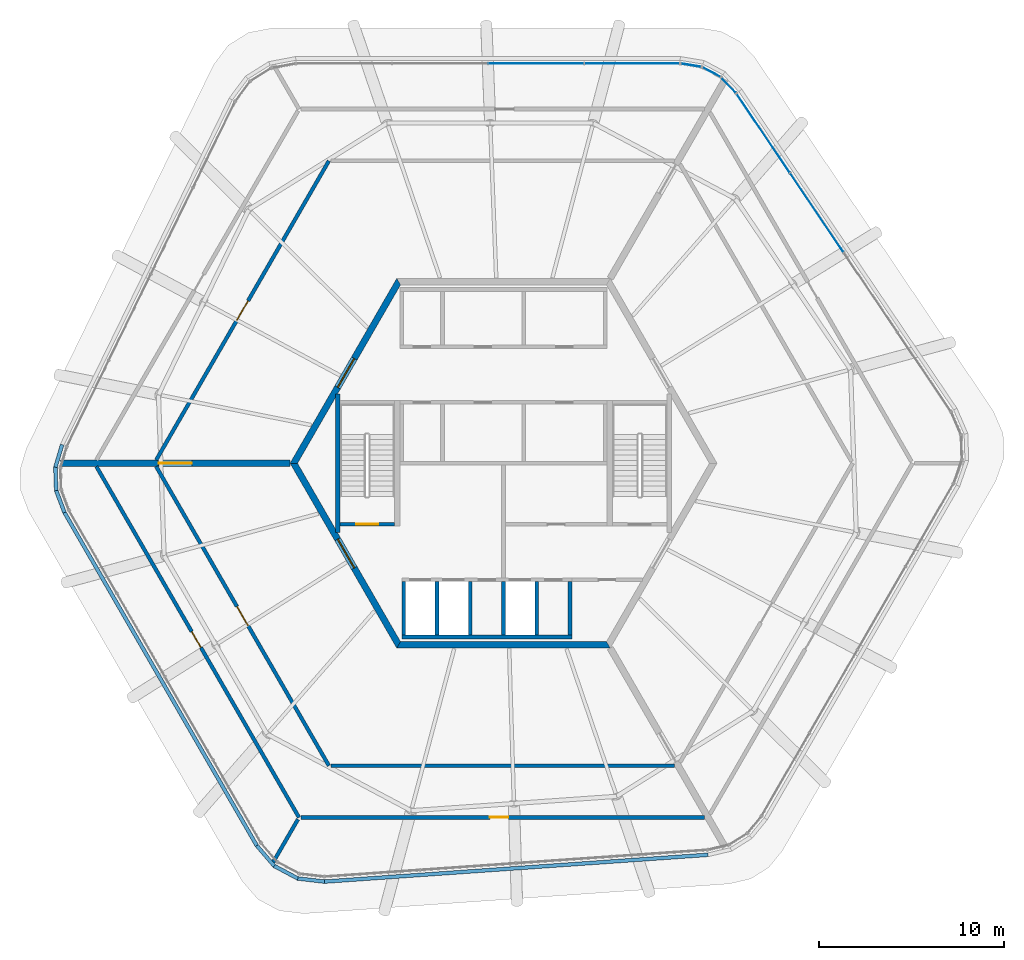
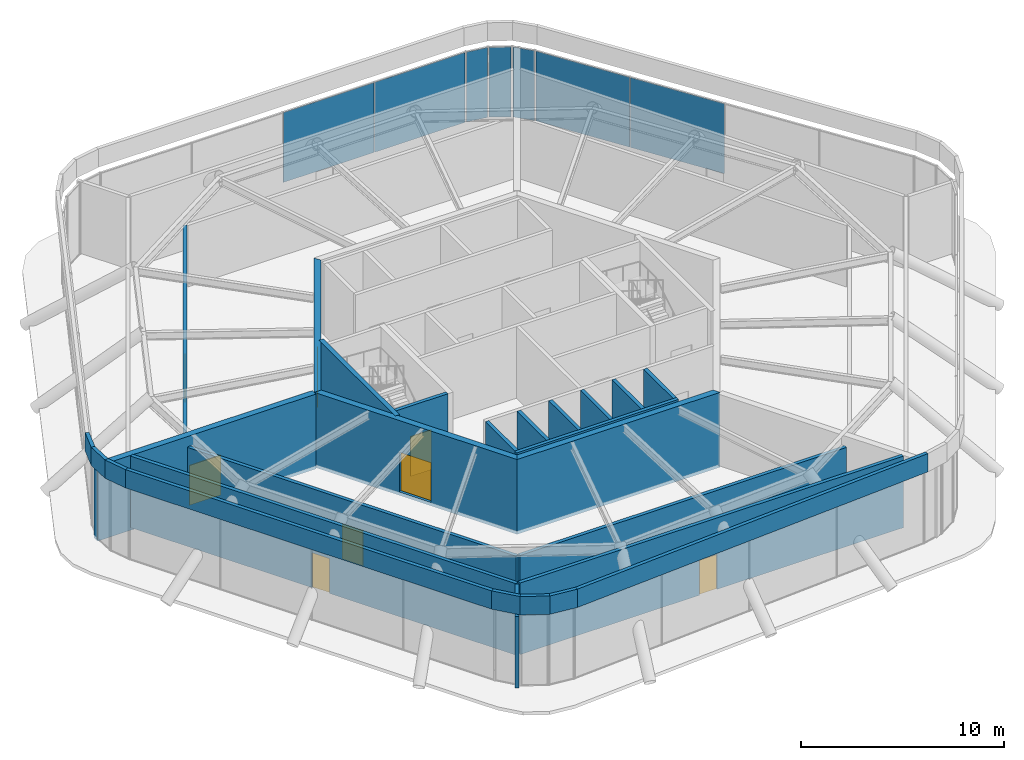
# One storey, part 10 of 13: 27 walls, 8 doors, 7 plates, 8 openings, 5 elements without a shape of their own.
"""IFC4 building model written with IfcOpenShell, lengths in metres."""

import ifcopenshell
import ifcopenshell.guid

model = None  # the IFC model being written
_history = None  # IfcOwnerHistory: only IFC2X3 demands one
_inside = {}  # id of a spatial element -> (the spatial element, [elements in it])
_under = {}  # id of a project, library or spatial element -> (it, [spatial elements below it])
_declared = {}  # id of a project -> (the project, [libraries it declares])
_typed = {}  # id of a type object -> (the type object, [elements of that type])
_made_of = {}  # id of a material, layer set ... -> (it, [elements and type objects made of it])


def new_model(schema):
    """Start an empty IFC model of exactly this schema.

    Asked for "IFC4X3", IfcOpenShell would pick the latest addendum, in which some entities
    have other attributes; the version numbers below select the first issue.
    IFC2X3 requires an IfcOwnerHistory on every rooted entity: one is made here for all.
    """
    global model, _history
    if schema == "IFC4X3":
        model = ifcopenshell.file(schema_version=(4, 3, 0, 0))
    else:
        model = ifcopenshell.file(schema=schema)
    _inside.clear()
    _under.clear()
    _declared.clear()
    _typed.clear()
    _made_of.clear()
    _history = None
    if model.schema == "IFC2X3":
        org = make("IfcOrganization", Name="unknown")
        user = make(
            "IfcPersonAndOrganization",
            ThePerson=make("IfcPerson", FamilyName="unknown"),
            TheOrganization=org,
        )
        app = make(
            "IfcApplication",
            ApplicationDeveloper=org,
            Version="unknown",
            ApplicationFullName="unknown",
            ApplicationIdentifier="unknown",
        )
        _history = make(
            "IfcOwnerHistory",
            OwningUser=user,
            OwningApplication=app,
            ChangeAction="ADDED",
            CreationDate=0,
        )
    return model


def make(cls, **values):
    """One entity of the class cls with the attributes given. An attribute that is None is left unset."""
    return model.create_entity(
        cls, **{name: value for name, value in values.items() if value is not None}
    )


def rooted(cls, **values):
    """An entity with a GlobalId (a new one), such as an element, a storey or a relation."""
    return make(cls, GlobalId=ifcopenshell.guid.new(), OwnerHistory=_history, **values)


def si_unit(unit_type, name, prefix=None):
    """IfcSIUnit, for example si_unit("LENGTHUNIT", "METRE", prefix="MILLI")."""
    return make("IfcSIUnit", UnitType=unit_type, Prefix=prefix, Name=name)


def assignment(units):
    """IfcUnitAssignment: the units of a project."""
    return None if units is None else make("IfcUnitAssignment", Units=units)


def point(xyz):
    """IfcCartesianPoint."""
    return None if xyz is None else make("IfcCartesianPoint", Coordinates=xyz)


def direction(xyz):
    """IfcDirection."""
    return None if xyz is None else make("IfcDirection", DirectionRatios=xyz)


def frame(location, z_axis=None, x_axis=None):
    """IfcAxis2Placement3D, a coordinate frame: its origin and axes. An axis left out is left unset."""
    return make(
        "IfcAxis2Placement3D",
        Location=point(location),
        Axis=direction(z_axis),
        RefDirection=direction(x_axis),
    )


def frame_2d(location, x_axis=None):
    """IfcAxis2Placement2D, a coordinate frame in the plane: its origin and x axis."""
    return make(
        "IfcAxis2Placement2D", Location=point(location), RefDirection=direction(x_axis)
    )


def origin():
    """The frame at (0, 0, 0) with its axes left unset."""
    return frame((0.0, 0.0, 0.0))


def origin_2d():
    """The frame at (0, 0) in the plane with its x axis left unset."""
    return frame_2d((0.0, 0.0))


def place(relative_to, where):
    """IfcLocalPlacement: puts the frame where relative to a parent placement (None: the world)."""
    return make(
        "IfcLocalPlacement", PlacementRelTo=relative_to, RelativePlacement=where
    )


def context(
    kind, dimensions, precision=None, world=None, true_north=None, identifier=None
):
    """IfcGeometricRepresentationContext, for example the 3D "Model" context."""
    return make(
        "IfcGeometricRepresentationContext",
        ContextIdentifier=identifier,
        ContextType=kind,
        CoordinateSpaceDimension=dimensions,
        Precision=precision,
        WorldCoordinateSystem=world,
        TrueNorth=true_north,
    )


def subcontext(parent, identifier, kind, view, scale=None):
    """IfcGeometricRepresentationSubContext, for example "Body" below "Model"."""
    return make(
        "IfcGeometricRepresentationSubContext",
        ContextIdentifier=identifier,
        ContextType=kind,
        ParentContext=parent,
        TargetScale=scale,
        TargetView=view,
    )


def project(units=None, contexts=None):
    """IfcProject with its units and contexts."""
    return rooted(
        "IfcProject",
        Name="project",
        RepresentationContexts=contexts,
        UnitsInContext=assignment(units),
    )


def spatial(cls, under=None, at=None, **own):
    """A site, building, storey or space (cls), placed at a placement, below another one or the project."""
    s = rooted(cls, ObjectPlacement=at, **own)
    if under is not None:
        _under.setdefault(under.id(), (under, []))[1].append(s)
    return s


def polyline(points):
    """IfcPolyline through the points."""
    return make("IfcPolyline", Points=[point(p) for p in points])


def profile(cls, at=None, kind="AREA", **sizes):
    """A parametric profile (cls). Its sizes go by their IFC names, for example OverallWidth=200.0."""
    return make(cls, ProfileType=kind, Position=at, **sizes)


def rectangle(**sizes):
    """IfcRectangleProfileDef."""
    return profile("IfcRectangleProfileDef", **sizes)


def outline(outer, holes=None, kind="AREA"):
    """IfcArbitraryClosedProfileDef: a profile drawn as a closed curve; with holes, ...WithVoids."""
    if holes is None:
        return make("IfcArbitraryClosedProfileDef", ProfileType=kind, OuterCurve=outer)
    return make(
        "IfcArbitraryProfileDefWithVoids",
        ProfileType=kind,
        OuterCurve=outer,
        InnerCurves=holes,
    )


def extrude(swept, where, along, depth):
    """IfcExtrudedAreaSolid: the profile swept, set in the frame where, extruded along a direction by depth."""
    return make(
        "IfcExtrudedAreaSolid",
        SweptArea=swept,
        Position=where,
        ExtrudedDirection=direction(along),
        Depth=depth,
    )


def shape(context_of_items, identifier, shape_type, items):
    """IfcShapeRepresentation: the items that make up one representation, for example the "Body"."""
    return make(
        "IfcShapeRepresentation",
        ContextOfItems=context_of_items,
        RepresentationIdentifier=identifier,
        RepresentationType=shape_type,
        Items=items,
    )


def material(Name=None, Category=None):
    """IfcMaterial."""
    return make("IfcMaterial", Name=Name, Category=Category)


def layer(
    of_material, thickness, ventilated=None, Name=None, Category=None, Priority=None
):
    """IfcMaterialLayer: one layer of a wall or slab, of a material (None: an air gap)."""
    return make(
        "IfcMaterialLayer",
        Material=of_material,
        LayerThickness=thickness,
        IsVentilated=ventilated,
        Name=Name,
        Category=Category,
        Priority=Priority,
    )


def layer_set(layers, Name=None):
    """IfcMaterialLayerSet."""
    return make("IfcMaterialLayerSet", MaterialLayers=layers, LayerSetName=Name)


def made_of(thing, what):
    """Note that an element or type object is made of a material, layer set ...; save() writes the relation."""
    if what is not None:
        _made_of.setdefault(what.id(), (what, []))[1].append(thing)
    return thing


def type_object(cls, material=None, **own):
    """A type object (cls), such as IfcWallType, which elements share."""
    return made_of(rooted(cls, **own), material)


def element(
    cls,
    number,
    at=None,
    inside=None,
    cuts=None,
    type_object=None,
    material=None,
    context=None,
    identifier="Body",
    shape_type=None,
    held_by="IfcProductDefinitionShape",
    body=None,
    shapes=None,
    **own,
):
    """One element of the class cls, such as IfcWall. Its Tag is "e" and its number.

    at: its placement. inside: the storey or other place that contains it. cuts: it is an
    opening in that element (IfcRelVoidsElement). A single representation is given by context,
    identifier, shape_type and body (its items); several are given by shapes. held_by: the class
    of the entity that holds the representations. save() writes the other relations.
    """
    e = rooted(cls, Tag="e%d" % number, ObjectPlacement=at, **own)
    if body is not None:
        shapes = [shape(context, identifier, shape_type, body)]
    if shapes is not None:
        e.Representation = make(held_by, Representations=shapes)
    if inside is not None:
        _inside.setdefault(inside.id(), (inside, []))[1].append(e)
    if cuts is not None:
        rooted(
            "IfcRelVoidsElement", RelatingBuildingElement=cuts, RelatedOpeningElement=e
        )
    if type_object is not None:
        _typed.setdefault(type_object.id(), (type_object, []))[1].append(e)
    return made_of(e, material)


def fill(opening, filler):
    """IfcRelFillsElement: the door or window that sits in an opening."""
    return rooted(
        "IfcRelFillsElement",
        RelatingOpeningElement=opening,
        RelatedBuildingElement=filler,
    )


def aggregate(whole, parts):
    """IfcRelAggregates: a whole, such as a stair, and the parts it consists of."""
    return rooted("IfcRelAggregates", RelatingObject=whole, RelatedObjects=parts)


def save(model, path):
    """Write the relations noted so far, then the file.

    IfcRelAggregates (storeys below a building ...), IfcRelContainedInSpatialStructure (elements
    in a storey), IfcRelDefinesByType, IfcRelAssociatesMaterial and IfcRelDeclares: one each for
    every whole, place, type object, material and project.
    """
    for whole, parts in _under.values():
        aggregate(whole, parts)
    for where, things in _inside.values():
        rooted(
            "IfcRelContainedInSpatialStructure",
            RelatedElements=things,
            RelatingStructure=where,
        )
    for kind, things in _typed.values():
        rooted("IfcRelDefinesByType", RelatedObjects=things, RelatingType=kind)
    for what, things in _made_of.values():
        rooted("IfcRelAssociatesMaterial", RelatedObjects=things, RelatingMaterial=what)
    for by, libraries in _declared.values():
        rooted("IfcRelDeclares", RelatingContext=by, RelatedDefinitions=libraries)
    model.write(path)


model = new_model("IFC4")

# Units and contexts
model_context = context("Model", 3, precision=1e-05, world=origin(), true_north=direction((0.0, 1.0)))
body_context = subcontext(model_context, "Body", "Model", "MODEL_VIEW")
ifc_project = project(units=[si_unit("LENGTHUNIT", "METRE"), si_unit("AREAUNIT", "SQUARE_METRE"), si_unit("VOLUMEUNIT", "CUBIC_METRE"), si_unit("PLANEANGLEUNIT", "RADIAN"), si_unit("MASSUNIT", "GRAM", prefix="KILO")], contexts=[model_context])

# Site, building, storey
site_placement = place(None, origin())
site = spatial("IfcSite", under=ifc_project, at=site_placement, CompositionType="ELEMENT")
building_placement = place(site_placement, origin())
building = spatial("IfcBuilding", under=site, at=building_placement, Name="Tarnside Tower", CompositionType="ELEMENT")
storey_placement = place(building_placement, frame((0.0, 0.0, 388.199951171875)))
storey = spatial("IfcBuildingStorey", under=building, at=storey_placement, Name="L92", CompositionType="ELEMENT", Elevation=388.199951171875)

# Curtain wall, plate
ifc_material_1 = material(Name="Crown glazing wall", Category="glass")
curtain_wall_type = type_object("IfcCurtainWallType", Name="Crown glazing wall", PredefinedType="NOTDEFINED", material=ifc_material_1)
curtain_wall_1_placement = place(storey_placement, origin())
curtain_wall_1 = element("IfcCurtainWall", 1, at=curtain_wall_1_placement, inside=storey, type_object=curtain_wall_type, Name="Crown glazing L92 00", PredefinedType="NOTDEFINED")
ifc_material_2 = material(Name="Low-iron safety glass", Category="glass")
ifc_layer_1 = layer(ifc_material_2, 0.028076171875)
ifc_layer_set_1 = layer_set([ifc_layer_1], Name="Crown glazing panel 28")
plate_type_1 = type_object("IfcPlateType", Name="Crown glazing panel 28", PredefinedType="CURTAIN_PANEL", material=ifc_layer_set_1)
plate_1_placement = place(storey_placement, frame((6.94287109375, 21.6298828125, 0.05029296875), z_axis=(0.0, 0.0, 1.0), x_axis=(1.0, 0.0, 0.0)))
plate_1 = element("IfcPlate", 2, at=plate_1_placement, type_object=plate_type_1, Name="CW6 panel 4.1", PredefinedType="CURTAIN_PANEL", context=body_context, shape_type="SweptSolid", body=[
    extrude(rectangle(XDim=5.119873046875, YDim=0.028076171875, at=origin_2d()), origin(), (0.0, 0.0, 1.0), 4.199951171875),
])

curtain_wall_2_placement = place(storey_placement, origin())
curtain_wall_2 = element("IfcCurtainWall", 3, at=curtain_wall_2_placement, inside=storey, type_object=curtain_wall_type, Name="Crown glazing L92 01", PredefinedType="NOTDEFINED")
plate_2_placement = place(storey_placement, frame((10.142333984375, 21.533203125, 0.05029296875), z_axis=(0.0, 0.0, 1.0), x_axis=(0.986761532077, -0.162177923324, 0.0)))
plate_2 = element("IfcPlate", 4, at=plate_2_placement, type_object=plate_type_1, Name="CW6 panel 1.1", PredefinedType="CURTAIN_PANEL", context=body_context, shape_type="SweptSolid", body=[
    extrude(rectangle(XDim=1.0947265625, YDim=0.028076171875, at=origin_2d()), origin(), (0.0, 0.0, 1.0), 4.199951171875),
])
aggregate(curtain_wall_2, [plate_2])

curtain_wall_3_placement = place(storey_placement, origin())
curtain_wall_3 = element("IfcCurtainWall", 5, at=curtain_wall_3_placement, inside=storey, type_object=curtain_wall_type, Name="Crown glazing L92 02", PredefinedType="NOTDEFINED")
plate_3_placement = place(storey_placement, frame((11.2509765625, 21.16015625, 0.05029296875), z_axis=(0.0, 0.0, 1.0), x_axis=(0.882947592916, -0.469471562678, 0.0)))
plate_3 = element("IfcPlate", 6, at=plate_3_placement, type_object=plate_type_1, Name="CW6 panel 1.1", PredefinedType="CURTAIN_PANEL", context=body_context, shape_type="SweptSolid", body=[
    extrude(rectangle(XDim=1.076416015625, YDim=0.028076171875, at=origin_2d()), origin(), (0.0, 0.0, 1.0), 4.199951171875),
])
aggregate(curtain_wall_3, [plate_3])

curtain_wall_4_placement = place(storey_placement, origin())
curtain_wall_4 = element("IfcCurtainWall", 7, at=curtain_wall_4_placement, inside=storey, type_object=curtain_wall_type, Name="Crown glazing L92 03", PredefinedType="NOTDEFINED")
plate_4_placement = place(storey_placement, frame((12.180419921875, 20.449462890625, 0.05029296875), z_axis=(0.0, 0.0, 1.0), x_axis=(0.686241638042, -0.727373641409, 0.0)))
plate_4 = element("IfcPlate", 8, at=plate_4_placement, type_object=plate_type_1, Name="CW6 panel 1.1", PredefinedType="CURTAIN_PANEL", context=body_context, shape_type="SweptSolid", body=[
    extrude(rectangle(XDim=1.0947265625, YDim=0.028076171875, at=origin_2d()), origin(), (0.0, 0.0, 1.0), 4.199951171875),
])
aggregate(curtain_wall_4, [plate_4])

curtain_wall_5_placement = place(storey_placement, origin())
curtain_wall_5 = element("IfcCurtainWall", 9, at=curtain_wall_5_placement, inside=storey, type_object=curtain_wall_type, Name="Crown glazing L92 04", PredefinedType="NOTDEFINED")
plate_5_placement = place(storey_placement, frame((14.0498046875, 17.851318359375, 0.05029296875), z_axis=(0.0, 0.0, 1.0), x_axis=(0.559192903471, -0.829037572555, 0.0)))
plate_5 = element("IfcPlate", 10, at=plate_5_placement, type_object=plate_type_1, Name="CW6 panel 1.1", PredefinedType="CURTAIN_PANEL", context=body_context, shape_type="SweptSolid", body=[
    extrude(rectangle(XDim=5.119873046875, YDim=0.028076171875, at=origin_2d()), origin(), (0.0, 0.0, 1.0), 4.199951171875),
])

# Plate
ifc_material_3 = material(Name="Insulated aluminium panel", Category="aluminium")
ifc_layer_2 = layer(ifc_material_3, 0.028076171875)
ifc_layer_set_2 = layer_set([ifc_layer_2], Name="Crown glazing spandrel panel 28")
plate_type_2 = type_object("IfcPlateType", Name="Crown glazing spandrel panel 28", PredefinedType="CURTAIN_PANEL", material=ifc_layer_set_2)
plate_6_placement = place(storey_placement, frame((1.76025390625, 21.6298828125, 0.05029296875), z_axis=(0.0, 0.0, 1.0), x_axis=(1.0, 0.0, 0.0)))
plate_6 = element("IfcPlate", 11, at=plate_6_placement, type_object=plate_type_2, Name="CW6 panel 3.1", PredefinedType="CURTAIN_PANEL", context=body_context, shape_type="SweptSolid", body=[
    extrude(rectangle(XDim=5.14501953125, YDim=0.028076171875, at=origin_2d()), origin(), (0.0, 0.0, 1.0), 4.199951171875),
])

aggregate(curtain_wall_1, [plate_6, plate_1])

plate_7_placement = place(storey_placement, frame((16.94775390625, 13.5546875, 0.05029296875), z_axis=(0.0, 0.0, 1.0), x_axis=(0.559192903471, -0.829037572555, 0.0)))
plate_7 = element("IfcPlate", 12, at=plate_7_placement, type_object=plate_type_2, Name="CW6 panel 2.1", PredefinedType="CURTAIN_PANEL", context=body_context, shape_type="SweptSolid", body=[
    extrude(rectangle(XDim=5.14501953125, YDim=0.028076171875, at=origin_2d()), origin(), (0.0, 0.0, 1.0), 4.199951171875),
])

aggregate(curtain_wall_5, [plate_5, plate_7])

# Wall, opening, door
ifc_material_4 = material(Name="Concrete C50/60", Category="concrete")
ifc_layer_3 = layer(ifc_material_4, 0.35009765625)
ifc_layer_set_3 = layer_set([ifc_layer_3], Name="Core wall Z4 350 C50/60")
wall_type_1 = type_object("IfcWallType", Name="Core wall Z4 350 C50/60", PredefinedType="SHEAR", material=ifc_layer_set_3)
wall_1_placement = place(storey_placement, frame((-5.672607421875, 9.824951171875, -0.199951171875), z_axis=(0.0, 0.0, 1.0), x_axis=(-0.499995046907, -0.866028263435, 0.0)))
wall_1 = element("IfcWall", 13, at=wall_1_placement, inside=storey, type_object=wall_type_1, Name="L92 core wall face 2", PredefinedType="SHEAR", context=body_context, shape_type="SweptSolid", body=[
    extrude(outline(polyline([(-0.10107421875, -0.175048828125), (11.44580078125, -0.175048828125), (11.24365234375, 0.175048828125), (0.10107421875, 0.175048828125), (-0.10107421875, -0.175048828125)])), origin(), (0.0, 0.0, 1.0), 4.5),
])
opening_1_placement = place(wall_1_placement, frame((4.80126953125, 0.0, 0.199951171875)))
opening_1 = element("IfcOpeningElement", 14, at=opening_1_placement, cuts=wall_1, Name="Opening CD-LOB", PredefinedType="OPENING", context=body_context, shape_type="SweptSolid", body=[
    extrude(rectangle(XDim=1.800048828125, YDim=2.39990234375, at=frame_2d((0.89990234375, 1.199951171875))), frame((0.0, 0.18505859375, 0.0), z_axis=(0.0, -1.0, 0.0), x_axis=(1.0, 0.0, 0.0)), (0.0, 0.0, 1.0), 0.3701171875),
])
ifc_material_5 = material(Name="Steel fire door", Category="steel")
door_type_1 = type_object("IfcDoorType", Name="Lobby double door FD30S 1800x2400", OperationType="NOTDEFINED", PredefinedType="DOOR", material=ifc_material_5)
door_1_placement = place(opening_1_placement, origin())
door_1 = element("IfcDoor", 15, at=door_1_placement, inside=storey, type_object=door_type_1, Name="L92 core door P1", OperationType="DOUBLE_DOOR_SINGLE_SWING", OverallHeight=2.39990234375, OverallWidth=1.800048828125, PredefinedType="DOOR", context=body_context, shape_type="SweptSolid", body=[
    extrude(rectangle(XDim=1.800048828125, YDim=2.39990234375, at=frame_2d((0.89990234375, 1.199951171875))), frame((0.0, 0.02490234375, 0.0), z_axis=(0.0, -1.0, 0.0), x_axis=(1.0, 0.0, 0.0)), (0.0, 0.0, 1.0), 0.050048828125),
])
fill(opening_1, door_1)

wall_2_placement = place(storey_placement, frame((-11.344970703125, 0.0, -0.199951171875), z_axis=(0.0, 0.0, 1.0), x_axis=(0.499995046907, -0.866028263435, 0.0)))
wall_2 = element("IfcWall", 16, at=wall_2_placement, inside=storey, type_object=wall_type_1, Name="L92 core wall face 3", PredefinedType="SHEAR", context=body_context, shape_type="SweptSolid", body=[
    extrude(outline(polyline([(-0.10107421875, -0.175048828125), (11.44580078125, -0.175048828125), (11.24365234375, 0.175048828125), (0.10107421875, 0.175048828125), (-0.10107421875, -0.175048828125)])), origin(), (0.0, 0.0, 1.0), 4.5),
])
opening_2_placement = place(wall_2_placement, frame((4.74365234375, 0.0, 0.199951171875)))
opening_2 = element("IfcOpeningElement", 17, at=opening_2_placement, cuts=wall_2, Name="Opening CD-FFL", PredefinedType="OPENING", context=body_context, shape_type="SweptSolid", body=[
    extrude(rectangle(XDim=1.800048828125, YDim=2.39990234375, at=frame_2d((0.89990234375, 1.199951171875))), frame((0.0, 0.18505859375, 0.0), z_axis=(0.0, -1.0, 0.0), x_axis=(1.0, 0.0, 0.0)), (0.0, 0.0, 1.0), 0.3701171875),
])
door_type_2 = type_object("IfcDoorType", Name="Firefighting lobby double door FD60S 1800x2400", OperationType="NOTDEFINED", PredefinedType="DOOR", material=ifc_material_5)
door_2_placement = place(opening_2_placement, origin())
door_2 = element("IfcDoor", 18, at=door_2_placement, inside=storey, type_object=door_type_2, Name="L92 core door P3", OperationType="DOUBLE_DOOR_SINGLE_SWING", OverallHeight=2.39990234375, OverallWidth=1.800048828125, PredefinedType="DOOR", context=body_context, shape_type="SweptSolid", body=[
    extrude(rectangle(XDim=1.800048828125, YDim=2.39990234375, at=frame_2d((0.89990234375, 1.199951171875))), frame((0.0, 0.02490234375, 0.0), z_axis=(0.0, -1.0, 0.0), x_axis=(1.0, 0.0, 0.0)), (0.0, 0.0, 1.0), 0.050048828125),
])
fill(opening_2, door_2)

# Wall
wall_3_placement = place(storey_placement, frame((-5.672607421875, -9.824951171875, -0.199951171875), z_axis=(0.0, 0.0, 1.0), x_axis=(1.0, 0.0, 0.0)))
element("IfcWall", 19, at=wall_3_placement, inside=storey, type_object=wall_type_1, Name="L92 core wall face 4", PredefinedType="SHEAR", context=body_context, shape_type="SweptSolid", body=[
    extrude(outline(polyline([(-0.10107421875, -0.175048828125), (11.4462890625, -0.175048828125), (11.244140625, 0.175048828125), (0.10107421875, 0.175048828125), (-0.10107421875, -0.175048828125)])), origin(), (0.0, 0.0, 1.0), 4.5),
])

# Wall, opening, door
wall_4_placement = place(storey_placement, frame((-11.547119140625, 0.0, -0.199951171875), z_axis=(0.0, 0.0, 1.0), x_axis=(-1.0, 0.0, 0.0)))
wall_4 = element("IfcWall", 20, at=wall_4_placement, inside=storey, type_object=wall_type_1, Name="L92 spine wall 2", PredefinedType="SHEAR", context=body_context, shape_type="SweptSolid", body=[
    extrude(rectangle(XDim=12.4248046875, YDim=0.35009765625, at=frame_2d((6.21240234375, 0.0))), origin(), (0.0, 0.0, 1.0), 4.5),
])
opening_3_placement = place(wall_4_placement, frame((5.3125, 0.0, 0.199951171875)))
opening_3 = element("IfcOpeningElement", 21, at=opening_3_placement, cuts=wall_4, Name="Opening CD-SPN", PredefinedType="OPENING", context=body_context, shape_type="SweptSolid", body=[
    extrude(rectangle(XDim=1.800048828125, YDim=2.39990234375, at=frame_2d((0.89990234375, 1.199951171875))), frame((0.0, 0.18505859375, 0.0), z_axis=(0.0, -1.0, 0.0), x_axis=(1.0, 0.0, 0.0)), (0.0, 0.0, 1.0), 0.3701171875),
])
door_type_3 = type_object("IfcDoorType", Name="Spine passage double door FD60 1800x2400", OperationType="NOTDEFINED", PredefinedType="DOOR", material=ifc_material_5)
door_3_placement = place(opening_3_placement, origin())
door_3 = element("IfcDoor", 22, at=door_3_placement, inside=storey, type_object=door_type_3, Name="L92 spine passage door 2", OperationType="DOUBLE_DOOR_SINGLE_SWING", OverallHeight=2.39990234375, OverallWidth=1.800048828125, PredefinedType="DOOR", context=body_context, shape_type="SweptSolid", body=[
    extrude(rectangle(XDim=1.800048828125, YDim=2.39990234375, at=frame_2d((0.89990234375, 1.199951171875))), frame((0.0, 0.02490234375, 0.0), z_axis=(0.0, -1.0, 0.0), x_axis=(1.0, 0.0, 0.0)), (0.0, 0.0, 1.0), 0.050048828125),
])
fill(opening_3, door_3)

# Walls
ifc_material_6 = material(Name="Concrete C40/50", Category="concrete")
ifc_layer_4 = layer(ifc_material_6, 0.199951171875)
ifc_layer_set_4 = layer_set([ifc_layer_4], Name="Lift shaft wall 200 C40/50")
wall_type_2 = type_object("IfcWallType", Name="Lift shaft wall 200 C40/50", PredefinedType="SHEAR", material=ifc_layer_set_4)
wall_5_placement = place(storey_placement, frame((-5.5, -9.39990234375, -0.199951171875), z_axis=(0.0, 0.0, 1.0), x_axis=(1.0, 0.0, 0.0)))
element("IfcWall", 23, at=wall_5_placement, inside=storey, type_object=wall_type_2, Name="L92 lift shaft back wall R4", PredefinedType="SHEAR", context=body_context, shape_type="SweptSolid", body=[
    extrude(rectangle(XDim=9.199951171875, YDim=0.199951171875, at=frame_2d((4.60009765625, 0.0))), origin(), (0.0, 0.0, 1.0), 4.5),
])
for number, where, z_axis, x_axis, name in (
    (24, (-5.39990234375, -9.300048828125, -0.199951171875), (0.0, 0.0, 1.0), (0.0, 1.0, 0.0), "L92 lift shaft partition R41"),
    (25, (-3.60009765625, -9.300048828125, -0.199951171875), (0.0, 0.0, 1.0), (0.0, 1.0, 0.0), "L92 lift shaft partition R42"),
    (26, (-1.800048828125, -9.300048828125, -0.199951171875), (0.0, 0.0, 1.0), (0.0, 1.0, 0.0), "L92 lift shaft partition R43"),
    (27, (0.0, -9.300048828125, -0.199951171875), (0.0, 0.0, 1.0), (0.0, 1.0, 0.0), "L92 lift shaft partition R44"),
    (28, (1.800048828125, -9.300048828125, -0.199951171875), (0.0, 0.0, 1.0), (0.0, 1.0, 0.0), "L92 lift shaft partition R45"),
    (29, (3.60009765625, -9.300048828125, -0.199951171875), (0.0, 0.0, 1.0), (0.0, 1.0, 0.0), "L92 lift shaft partition R46"),
):
    element("IfcWall", number, at=place(storey_placement, frame(where, z_axis=z_axis, x_axis=x_axis)), inside=storey, type_object=wall_type_2, Name=name, PredefinedType="SHEAR", context=body_context, shape_type="SweptSolid", body=[
        extrude(rectangle(XDim=2.900146484375, YDim=0.199951171875, at=frame_2d((1.4501953125, 0.0))), origin(), (0.0, 0.0, 1.0), 4.5),
    ])

# Wall, opening, door
wall_6_placement = place(storey_placement, frame((-8.85009765625, -3.300048828125, -0.199951171875), z_axis=(0.0, 0.0, 1.0), x_axis=(1.0, 0.0, 0.0)))
wall_6 = element("IfcWall", 30, at=wall_6_placement, inside=storey, type_object=wall_type_2, Name="L92 stair 2 enclosure cap wall s", PredefinedType="SHEAR", context=body_context, shape_type="SweptSolid", body=[
    extrude(rectangle(XDim=2.9501953125, YDim=0.199951171875, at=frame_2d((1.47509765625, 0.0))), origin(), (0.0, 0.0, 1.0), 4.5),
])
opening_4_placement = place(wall_6_placement, frame((0.875, 0.0, 0.199951171875)))
opening_4 = element("IfcOpeningElement", 31, at=opening_4_placement, cuts=wall_6, Name="Opening CD-STR", PredefinedType="OPENING", context=body_context, shape_type="SweptSolid", body=[
    extrude(rectangle(XDim=1.199951171875, YDim=2.39990234375, at=frame_2d((0.60009765625, 1.199951171875))), frame((0.0, 0.10986328125, 0.0), z_axis=(0.0, -1.0, 0.0), x_axis=(1.0, 0.0, 0.0)), (0.0, 0.0, 1.0), 0.219970703125),
])
door_type_4 = type_object("IfcDoorType", Name="Stair door FD60S 1200x2400", OperationType="NOTDEFINED", PredefinedType="DOOR", material=ifc_material_5)
door_4_placement = place(opening_4_placement, origin())
door_4 = element("IfcDoor", 32, at=door_4_placement, inside=storey, type_object=door_type_4, Name="L92 stair 2 door", OperationType="SINGLE_SWING_LEFT", OverallHeight=2.39990234375, OverallWidth=1.199951171875, PredefinedType="DOOR", context=body_context, shape_type="SweptSolid", body=[
    extrude(rectangle(XDim=1.199951171875, YDim=2.39990234375, at=frame_2d((0.60009765625, 1.199951171875))), frame((0.0, 0.02490234375, 0.0), z_axis=(0.0, -1.0, 0.0), x_axis=(1.0, 0.0, 0.0)), (0.0, 0.0, 1.0), 0.050048828125),
])
fill(opening_4, door_4)

# Walls
ifc_material_7 = material(Name="Concrete C35/45 precast", Category="concrete")
ifc_layer_5 = layer(ifc_material_7, 0.199951171875)
ifc_layer_set_5 = layer_set([ifc_layer_5], Name="Parapet 200 x 1100")
wall_type_3 = type_object("IfcWallType", Name="Parapet 200 x 1100", PredefinedType="PARAPET", material=ifc_layer_set_5)
wall_7_placement = place(storey_placement, frame((11.06689453125, -21.1796875, 4.5), z_axis=(0.0, 0.0, 1.0), x_axis=(-0.997564286722, -0.06975309209, 0.0)))
element("IfcWall", 33, at=wall_7_placement, inside=storey, type_object=wall_type_3, Name="Roof parapet 12", PredefinedType="PARAPET", context=body_context, shape_type="SweptSolid", body=[
    extrude(outline(polyline([(0.008056640625, -0.10009765625), (20.791748046875, -0.10009765625), (20.810302734375, 0.10009765625), (-0.008056640625, 0.10009765625), (0.008056640625, -0.10009765625)])), origin(), (0.0, 0.0, 1.0), 1.10009765625),
])
wall_8_placement = place(storey_placement, frame((-9.683349609375, -22.630615234375, 4.5), z_axis=(0.0, 0.0, 1.0), x_axis=(-0.993231825369, 0.116148788514, 0.0)))
element("IfcWall", 34, at=wall_8_placement, inside=storey, type_object=wall_type_3, Name="Roof parapet 13", PredefinedType="PARAPET", context=body_context, shape_type="SweptSolid", body=[
    extrude(outline(polyline([(0.00927734375, -0.10009765625), (1.43359375, -0.10009765625), (1.47119140625, 0.10009765625), (-0.00927734375, 0.10009765625), (0.00927734375, -0.10009765625)])), origin(), (0.0, 0.0, 1.0), 1.10009765625),
])
wall_9_placement = place(storey_placement, frame((-11.1259765625, -22.4619140625, 4.5), z_axis=(0.0, 0.0, 1.0), x_axis=(-0.882946998442, 0.46947268072, 0.0)))
element("IfcWall", 35, at=wall_9_placement, inside=storey, type_object=wall_type_3, Name="Roof parapet 14", PredefinedType="PARAPET", context=body_context, shape_type="SweptSolid", body=[
    extrude(outline(polyline([(0.018798828125, -0.10009765625), (1.42431640625, -0.10009765625), (1.4619140625, 0.10009765625), (-0.018798828125, 0.10009765625), (0.018798828125, -0.10009765625)])), origin(), (0.0, 0.0, 1.0), 1.10009765625),
])
wall_10_placement = place(storey_placement, frame((-12.400146484375, -21.784423828125, 4.5), z_axis=(0.0, 0.0, 1.0), x_axis=(-0.651635311812, 0.758532412228, 0.0)))
element("IfcWall", 36, at=wall_10_placement, inside=storey, type_object=wall_type_3, Name="Roof parapet 15", PredefinedType="PARAPET", context=body_context, shape_type="SweptSolid", body=[
    extrude(outline(polyline([(0.018798828125, -0.10009765625), (1.443359375, -0.10009765625), (1.4619140625, 0.10009765625), (-0.018798828125, 0.10009765625), (0.018798828125, -0.10009765625)])), origin(), (0.0, 0.0, 1.0), 1.10009765625),
])
wall_11_placement = place(storey_placement, frame((-13.3466796875, -20.6826171875, 4.5), z_axis=(0.0, 0.0, 1.0), x_axis=(-0.500005572435, 0.866022186514, 0.0)))
element("IfcWall", 37, at=wall_11_placement, inside=storey, type_object=wall_type_3, Name="Roof parapet 16", PredefinedType="PARAPET", context=body_context, shape_type="SweptSolid", body=[
    extrude(outline(polyline([(0.00927734375, -0.10009765625), (20.79296875, -0.10009765625), (20.80908203125, 0.10009765625), (-0.00927734375, 0.10009765625), (0.00927734375, -0.10009765625)])), origin(), (0.0, 0.0, 1.0), 1.10009765625),
])
wall_12_placement = place(storey_placement, frame((-23.747314453125, -2.66845703125, 4.5), z_axis=(0.0, 0.0, 1.0), x_axis=(-0.352930531417, 0.935649528399, 0.0)))
element("IfcWall", 38, at=wall_12_placement, inside=storey, type_object=wall_type_3, Name="Roof parapet 17", PredefinedType="PARAPET", context=body_context, shape_type="SweptSolid", body=[
    extrude(outline(polyline([(0.008056640625, -0.10009765625), (1.25634765625, -0.10009765625), (1.2890625, 0.10009765625), (-0.008056640625, 0.10009765625), (0.008056640625, -0.10009765625)])), origin(), (0.0, 0.0, 1.0), 1.10009765625),
])
wall_13_placement = place(storey_placement, frame((-24.196533203125, -1.4775390625, 4.5), z_axis=(0.0, 0.0, 1.0), x_axis=(-0.034947726938, 0.999389141617, 0.0)))
element("IfcWall", 39, at=wall_13_placement, inside=storey, type_object=wall_type_3, Name="Roof parapet 18", PredefinedType="PARAPET", context=body_context, shape_type="SweptSolid", body=[
    extrude(outline(polyline([(0.016357421875, -0.10009765625), (1.248046875, -0.10009765625), (1.28076171875, 0.10009765625), (-0.016357421875, 0.10009765625), (0.016357421875, -0.10009765625)])), origin(), (0.0, 0.0, 1.0), 1.10009765625),
])
wall_14_placement = place(storey_placement, frame((-24.24072265625, -0.2138671875, 4.5), z_axis=(0.0, 0.0, 1.0), x_axis=(0.286907985053, 0.957958145282, 0.0)))
element("IfcWall", 40, at=wall_14_placement, inside=storey, type_object=wall_type_3, Name="Roof parapet 19", PredefinedType="PARAPET", context=body_context, shape_type="SweptSolid", body=[
    extrude(outline(polyline([(0.016357421875, -0.10009765625), (1.264892578125, -0.10009765625), (1.281005859375, 0.10009765625), (-0.016357421875, 0.10009765625), (0.016357421875, -0.10009765625)])), origin(), (0.0, 0.0, 1.0), 1.10009765625),
])
ifc_layer_6 = layer(ifc_material_6, 0.25)
ifc_layer_set_6 = layer_set([ifc_layer_6], Name="Stair enclosure wall 250 C40/50")
wall_type_4 = type_object("IfcWallType", Name="Stair enclosure wall 250 C40/50", PredefinedType="SHEAR", material=ifc_layer_set_6)
wall_15_placement = place(storey_placement, frame((-8.97509765625, -3.7548828125, -0.199951171875), z_axis=(0.0, 0.0, 1.0), x_axis=(0.0, 1.0, 0.0)))
element("IfcWall", 41, at=wall_15_placement, inside=storey, type_object=wall_type_4, Name="L92 stair 2 enclosure wall outer", PredefinedType="SHEAR", context=body_context, shape_type="SweptSolid", body=[
    extrude(rectangle(XDim=7.509765625, YDim=0.25, at=frame_2d((3.7548828125, 0.0))), origin(), (0.0, 0.0, 1.0), 4.5),
])

# Wall, opening, door
ifc_material_8 = material(Name="Concrete C32/40", Category="concrete")
ifc_layer_7 = layer(ifc_material_8, 0.199951171875)
ifc_layer_set_7 = layer_set([ifc_layer_7], Name="Wall 200 reinforced Concrete C32/40")
wall_type_5 = type_object("IfcWallType", Name="Wall 200 reinforced Concrete C32/40", PredefinedType="PARTITIONING", material=ifc_layer_set_7)
wall_16_placement = place(storey_placement, frame((-11.06201171875, -19.159912109375, 0.0), z_axis=(0.0, 0.0, 1.0), x_axis=(-0.500000738101, 0.866024977641, 0.0)))
wall_16 = element("IfcWall", 42, at=wall_16_placement, inside=storey, type_object=wall_type_5, Name="Partition 000", PredefinedType="PARTITIONING", context=body_context, shape_type="SweptSolid", body=[
    extrude(rectangle(XDim=21.921875, YDim=0.199951171875, at=frame_2d((10.9609375, 0.0))), origin(), (0.0, 0.0, 1.0), 4.300048828125),
])
opening_5_placement = place(wall_16_placement, frame((10.611083984375, 0.0, 0.0)))
opening_5 = element("IfcOpeningElement", 43, at=opening_5_placement, cuts=wall_16, Name="Opening D1000F60", PredefinedType="OPENING", context=body_context, shape_type="SweptSolid", body=[
    extrude(rectangle(XDim=1.0, YDim=2.10009765625, at=frame_2d((0.5, 1.050048828125))), frame((0.0, 0.10986328125, 0.0), z_axis=(0.0, -1.0, 0.0), x_axis=(1.0, 0.0, 0.0)), (0.0, 0.0, 1.0), 0.219970703125),
])
ifc_material_9 = material(Name="Timber door leaf", Category="wood")
door_type_5 = type_object("IfcDoorType", Name="Door 1000 x 2100 single leaf FD60 fire door", OperationType="NOTDEFINED", PredefinedType="DOOR", material=ifc_material_9)
door_5_placement = place(opening_5_placement, origin())
door_5 = element("IfcDoor", 44, at=door_5_placement, inside=storey, type_object=door_type_5, Name="Door L92-01", OperationType="SINGLE_SWING_RIGHT", OverallHeight=2.10009765625, OverallWidth=1.0, PredefinedType="DOOR", context=body_context, shape_type="SweptSolid", body=[
    extrude(rectangle(XDim=1.0, YDim=2.10009765625, at=frame_2d((0.5, 1.050048828125))), frame((0.0, 0.02490234375, 0.0), z_axis=(0.0, -1.0, 0.0), x_axis=(1.0, 0.0, 0.0)), (0.0, 0.0, 1.0), 0.050048828125),
])
fill(opening_5, door_5)

wall_17_placement = place(storey_placement, frame((-18.7900390625, -0.175048828125, 0.0), z_axis=(0.0, 0.0, 1.0), x_axis=(0.500020978615, -0.866013291437, 0.0)))
wall_17 = element("IfcWall", 45, at=wall_17_placement, inside=storey, type_object=wall_type_5, Name="Partition 001", PredefinedType="PARTITIONING", context=body_context, shape_type="SweptSolid", body=[
    extrude(rectangle(XDim=18.689208984375, YDim=0.199951171875, at=frame_2d((9.3447265625, 0.0))), origin(), (0.0, 0.0, 1.0), 3.6923828125),
])
opening_6_placement = place(wall_17_placement, frame((8.74462890625, 0.0, 0.0)))
opening_6 = element("IfcOpeningElement", 46, at=opening_6_placement, cuts=wall_17, Name="Opening D1200F60", PredefinedType="OPENING", context=body_context, shape_type="SweptSolid", body=[
    extrude(rectangle(XDim=1.199951171875, YDim=2.10009765625, at=frame_2d((0.60009765625, 1.050048828125))), frame((0.0, 0.10986328125, 0.0), z_axis=(0.0, -1.0, 0.0), x_axis=(1.0, 0.0, 0.0)), (0.0, 0.0, 1.0), 0.219970703125),
])
door_type_6 = type_object("IfcDoorType", Name="Door 1200 x 2100 single leaf FD60 fire door", OperationType="NOTDEFINED", PredefinedType="DOOR", material=ifc_material_9)
door_6_placement = place(opening_6_placement, origin())
door_6 = element("IfcDoor", 47, at=door_6_placement, inside=storey, type_object=door_type_6, Name="Door L92-02", OperationType="SINGLE_SWING_LEFT", OverallHeight=2.10009765625, OverallWidth=1.199951171875, PredefinedType="DOOR", context=body_context, shape_type="SweptSolid", body=[
    extrude(rectangle(XDim=1.199951171875, YDim=2.10009765625, at=frame_2d((0.60009765625, 1.050048828125))), frame((0.0, 0.02490234375, 0.0), z_axis=(0.0, -1.0, 0.0), x_axis=(1.0, 0.0, 0.0)), (0.0, 0.0, 1.0), 0.050048828125),
])
fill(opening_6, door_6)

# Wall
wall_18_placement = place(storey_placement, frame((-12.501953125, -21.653076171875, 0.0), z_axis=(0.0, 0.0, 1.0), x_axis=(0.500186343266, 0.865917791716, 0.0)))
element("IfcWall", 48, at=wall_18_placement, inside=storey, type_object=wall_type_5, Name="Partition 002", PredefinedType="PARTITIONING", context=body_context, shape_type="SweptSolid", body=[
    extrude(rectangle(XDim=2.763671875, YDim=0.199951171875, at=frame_2d((1.3818359375, 0.0))), origin(), (0.0, 0.0, 1.0), 4.300048828125),
])

# Wall, opening, door
wall_19_placement = place(storey_placement, frame((10.860107421875, -19.159912109375, 0.0), z_axis=(0.0, 0.0, 1.0), x_axis=(-1.0, 0.0, 0.0)))
wall_19 = element("IfcWall", 49, at=wall_19_placement, inside=storey, type_object=wall_type_5, Name="Partition 004", PredefinedType="PARTITIONING", context=body_context, shape_type="SweptSolid", body=[
    extrude(rectangle(XDim=21.806640625, YDim=0.199951171875, at=frame_2d((10.9033203125, 0.0))), origin(), (0.0, 0.0, 1.0), 4.300048828125),
])
opening_7_placement = place(wall_19_placement, frame((10.603271484375, 0.0, 0.0)))
opening_7 = element("IfcOpeningElement", 50, at=opening_7_placement, cuts=wall_19, Name="Opening D1000F60", PredefinedType="OPENING", context=body_context, shape_type="SweptSolid", body=[
    extrude(rectangle(XDim=1.0, YDim=2.10009765625, at=frame_2d((0.5, 1.050048828125))), frame((0.0, 0.10986328125, 0.0), z_axis=(0.0, -1.0, 0.0), x_axis=(1.0, 0.0, 0.0)), (0.0, 0.0, 1.0), 0.219970703125),
])
door_7_placement = place(opening_7_placement, origin())
door_7 = element("IfcDoor", 51, at=door_7_placement, inside=storey, type_object=door_type_5, Name="Door L92-03", OperationType="SINGLE_SWING_RIGHT", OverallHeight=2.10009765625, OverallWidth=1.0, PredefinedType="DOOR", context=body_context, shape_type="SweptSolid", body=[
    extrude(rectangle(XDim=1.0, YDim=2.10009765625, at=frame_2d((0.5, 1.050048828125))), frame((0.0, 0.02490234375, 0.0), z_axis=(0.0, -1.0, 0.0), x_axis=(1.0, 0.0, 0.0)), (0.0, 0.0, 1.0), 0.050048828125),
])
fill(opening_7, door_7)

# Wall
wall_20_placement = place(storey_placement, frame((-9.32958984375, -16.360107421875, 0.0), z_axis=(0.0, 0.0, 1.0), x_axis=(1.0, 0.0, 0.0)))
element("IfcWall", 52, at=wall_20_placement, inside=storey, type_object=wall_type_5, Name="Partition 006", PredefinedType="PARTITIONING", context=body_context, shape_type="SweptSolid", body=[
    extrude(rectangle(XDim=18.572509765625, YDim=0.199951171875, at=frame_2d((9.2861328125, 0.0))), origin(), (0.0, 0.0, 1.0), 3.6923828125),
])

# Wall, opening, door
wall_21_placement = place(storey_placement, frame((-9.445068359375, 16.360107421875, 0.0), z_axis=(0.0, 0.0, 1.0), x_axis=(-0.500020978615, -0.866013291437, 0.0)))
wall_21 = element("IfcWall", 53, at=wall_21_placement, inside=storey, type_object=wall_type_5, Name="Partition 007", PredefinedType="PARTITIONING", context=body_context, shape_type="SweptSolid", body=[
    extrude(rectangle(XDim=18.689208984375, YDim=0.199951171875, at=frame_2d((9.3447265625, 0.0))), origin(), (0.0, 0.0, 1.0), 3.6923828125),
])
opening_8_placement = place(wall_21_placement, frame((8.74462890625, 0.0, 0.0)))
opening_8 = element("IfcOpeningElement", 54, at=opening_8_placement, cuts=wall_21, Name="Opening D1200F60", PredefinedType="OPENING", context=body_context, shape_type="SweptSolid", body=[
    extrude(rectangle(XDim=1.199951171875, YDim=2.10009765625, at=frame_2d((0.60009765625, 1.050048828125))), frame((0.0, 0.10986328125, 0.0), z_axis=(0.0, -1.0, 0.0), x_axis=(1.0, 0.0, 0.0)), (0.0, 0.0, 1.0), 0.219970703125),
])
door_8_placement = place(opening_8_placement, origin())
door_8 = element("IfcDoor", 55, at=door_8_placement, inside=storey, type_object=door_type_6, Name="Door L92-05", OperationType="SINGLE_SWING_RIGHT", OverallHeight=2.10009765625, OverallWidth=1.199951171875, PredefinedType="DOOR", context=body_context, shape_type="SweptSolid", body=[
    extrude(rectangle(XDim=1.199951171875, YDim=2.10009765625, at=frame_2d((0.60009765625, 1.050048828125))), frame((0.0, 0.02490234375, 0.0), z_axis=(0.0, -1.0, 0.0), x_axis=(1.0, 0.0, 0.0)), (0.0, 0.0, 1.0), 0.050048828125),
])
fill(opening_8, door_8)

save(model, "model.ifc")
